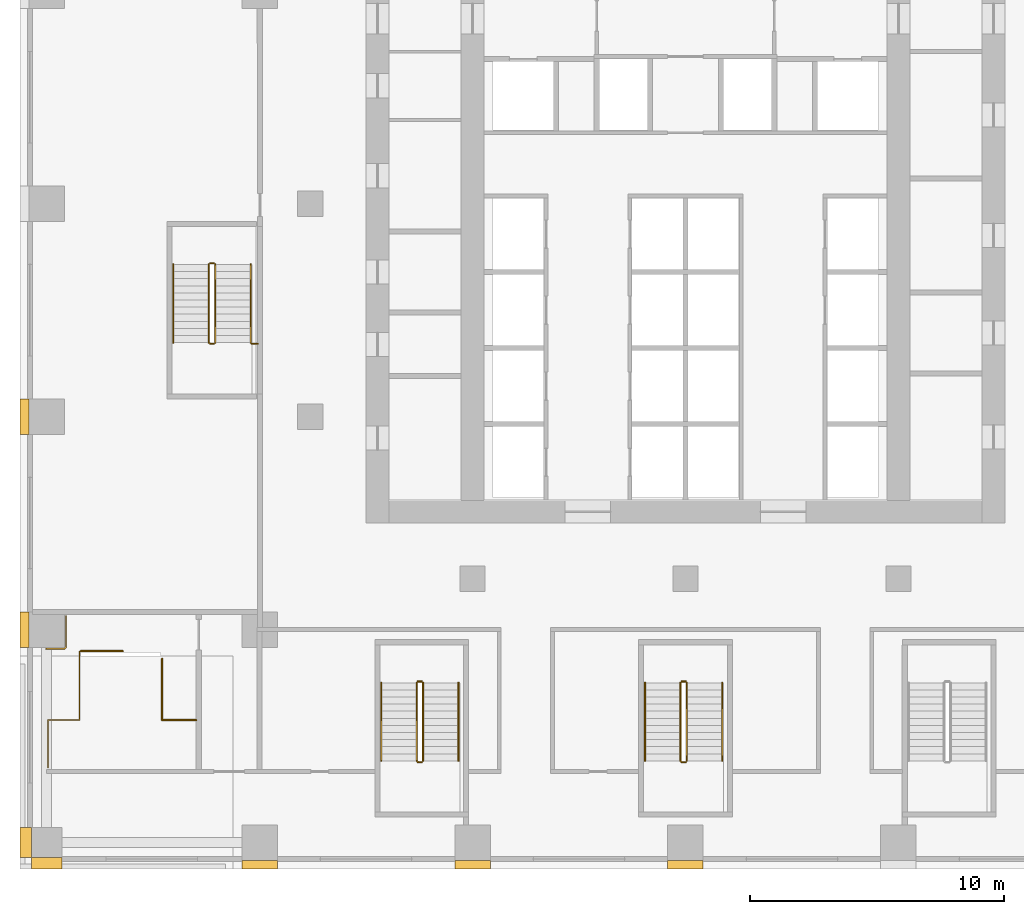
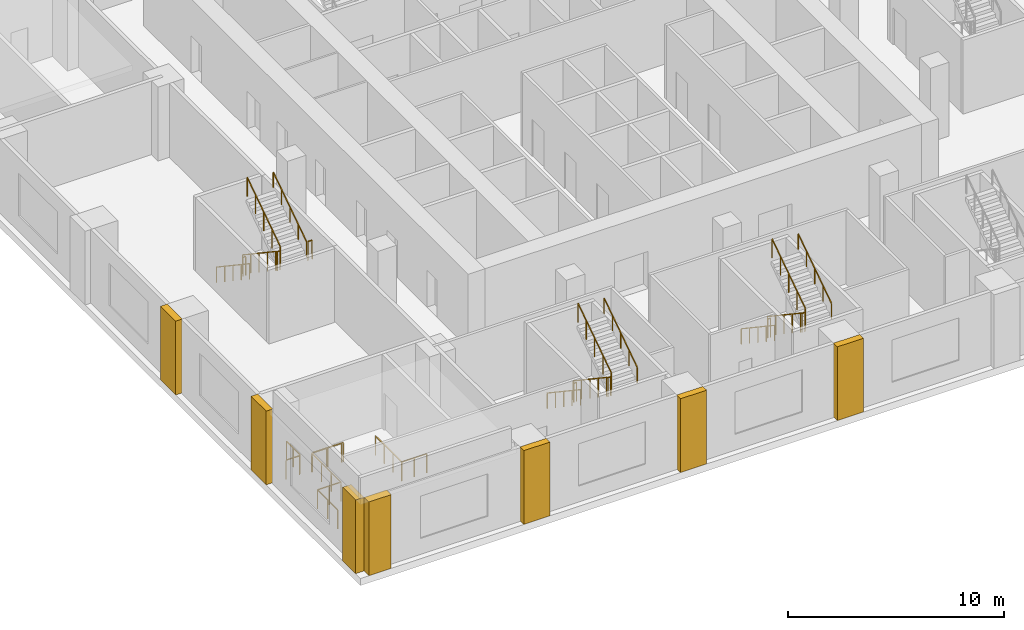
# One storey, part 11 of 16: 20 railings, 7 coverings.
"""IFC4 building model written with IfcOpenShell, lengths in metres."""

from ifc_helpers import new_model, si_unit, direction, frame, origin, origin_2d, place, context, subcontext, project, spatial, polyline, rectangle, outline, extrude, material, type_object, element, save


model = new_model("IFC4")

# Units and contexts
model_context = context("Model", 3, precision=1e-05, world=origin(), true_north=direction((0.0, 1.0)))
body_context = subcontext(model_context, "Body", "Model", "MODEL_VIEW")
ifc_project = project(units=[si_unit("LENGTHUNIT", "METRE"), si_unit("AREAUNIT", "SQUARE_METRE"), si_unit("VOLUMEUNIT", "CUBIC_METRE"), si_unit("PLANEANGLEUNIT", "RADIAN"), si_unit("MASSUNIT", "GRAM", prefix="KILO")], contexts=[model_context])

# Site, building, storey
site_placement = place(None, origin())
site = spatial("IfcSite", under=ifc_project, at=site_placement, CompositionType="ELEMENT")
building_placement = place(site_placement, origin())
building = spatial("IfcBuilding", under=site, at=building_placement, Name="Vermilion Ogive Tower", CompositionType="ELEMENT")
storey_placement = place(building_placement, frame((0.0, 0.0, 30.0)))
storey = spatial("IfcBuildingStorey", under=building, at=storey_placement, Name="L05", CompositionType="ELEMENT", Elevation=30.0)

# Railings
ifc_material_1 = material(Name="Steel S355 painted", Category="steel")
railing_type_1 = type_object("IfcRailingType", Name="Stair guard 1100", PredefinedType="GUARDRAIL", material=ifc_material_1)
railing_1_placement = place(storey_placement, frame((-10.60009765625, -14.699951171875, 0.1875)))
element("IfcRailing", 1, at=railing_1_placement, inside=storey, type_object=railing_type_1, Name="L05 ST3 stair guard 1", PredefinedType="GUARDRAIL", context=body_context, shape_type="SweptSolid", body=[
    extrude(rectangle(XDim=0.048095703125, YDim=0.048095703125, at=origin_2d()), frame((0.0, 0.0, 1.076171875), z_axis=(0.0, -0.830913701846, 0.55640131208), x_axis=(1.0, 0.0, 0.0)), (0.0, 0.0, 1.0), 3.706787109375),
    extrude(rectangle(XDim=0.048095703125, YDim=0.048095703125, at=origin_2d()), frame((0.0, -3.080078125, 3.138671875), z_axis=(0.707106781187, -0.707106781187, 0.0), x_axis=(0.707106781187, 0.707106781187, 0.0)), (0.0, 0.0, 1.0), 0.07080078125),
    extrude(rectangle(XDim=0.048095703125, YDim=0.048095703125, at=origin_2d()), frame((0.050048828125, -3.130126953125, 3.138671875), z_axis=(1.0, 0.0, 0.0), x_axis=(0.0, 1.0, 0.0)), (0.0, 0.0, 1.0), 0.150146484375),
    extrude(rectangle(XDim=0.0419921875, YDim=0.0419921875, at=origin_2d()), origin(), (0.0, 0.0, 1.0), 1.052001953125),
    extrude(rectangle(XDim=0.0419921875, YDim=0.0419921875, at=origin_2d()), frame((0.0, -0.77001953125, 0.515625)), (0.0, 0.0, 1.0), 1.052001953125),
    extrude(rectangle(XDim=0.0419921875, YDim=0.0419921875, at=origin_2d()), frame((0.0, -1.5400390625, 1.03125)), (0.0, 0.0, 1.0), 1.052001953125),
    extrude(rectangle(XDim=0.0419921875, YDim=0.0419921875, at=origin_2d()), frame((0.0, -2.31005859375, 1.546875)), (0.0, 0.0, 1.0), 1.052001953125),
    extrude(rectangle(XDim=0.0419921875, YDim=0.0419921875, at=origin_2d()), frame((0.0, -3.080078125, 2.0625)), (0.0, 0.0, 1.0), 1.052001953125),
    extrude(rectangle(XDim=0.0419921875, YDim=0.0419921875, at=origin_2d()), frame((0.050048828125, -3.130126953125, 2.0625)), (0.0, 0.0, 1.0), 1.052001953125),
    extrude(rectangle(XDim=0.0419921875, YDim=0.0419921875, at=origin_2d()), frame((0.2001953125, -3.130126953125, 2.0625)), (0.0, 0.0, 1.0), 1.052001953125),
])
railing_2_placement = place(storey_placement, frame((-10.35009765625, -17.780029296875, 2.4375)))
element("IfcRailing", 2, at=railing_2_placement, inside=storey, type_object=railing_type_1, Name="L05 ST3 stair guard 3", PredefinedType="GUARDRAIL", context=body_context, shape_type="SweptSolid", body=[
    extrude(rectangle(XDim=0.048095703125, YDim=0.048095703125, at=origin_2d()), frame((0.0, 0.0, 1.076171875), z_axis=(0.0, 0.830913701846, 0.55640131208), x_axis=(-1.0, 0.0, 0.0)), (0.0, 0.0, 1.0), 3.706787109375),
    extrude(rectangle(XDim=0.0419921875, YDim=0.0419921875, at=origin_2d()), origin(), (0.0, 0.0, 1.0), 1.052001953125),
    extrude(rectangle(XDim=0.0419921875, YDim=0.0419921875, at=origin_2d()), frame((0.0, 0.77001953125, 0.515625)), (0.0, 0.0, 1.0), 1.052001953125),
    extrude(rectangle(XDim=0.0419921875, YDim=0.0419921875, at=origin_2d()), frame((0.0, 1.5400390625, 1.03125)), (0.0, 0.0, 1.0), 1.052001953125),
    extrude(rectangle(XDim=0.0419921875, YDim=0.0419921875, at=origin_2d()), frame((0.0, 2.31005859375, 1.546875)), (0.0, 0.0, 1.0), 1.052001953125),
    extrude(rectangle(XDim=0.0419921875, YDim=0.0419921875, at=origin_2d()), frame((0.0, 3.080078125, 2.0625)), (0.0, 0.0, 1.0), 1.052001953125),
])
railing_3_placement = place(storey_placement, frame((-10.550048828125, -14.64990234375, 0.0)))
element("IfcRailing", 3, at=railing_3_placement, inside=storey, type_object=railing_type_1, Name="L05 ST3 stair guard 4", PredefinedType="GUARDRAIL", context=body_context, shape_type="SweptSolid", body=[
    extrude(rectangle(XDim=0.048095703125, YDim=0.048095703125, at=origin_2d()), frame((0.0, 0.0, 1.076171875), z_axis=(1.0, 0.0, 0.0), x_axis=(0.0, 1.0, 0.0)), (0.0, 0.0, 1.0), 0.150146484375),
    extrude(rectangle(XDim=0.0419921875, YDim=0.0419921875, at=origin_2d()), origin(), (0.0, 0.0, 1.0), 1.052001953125),
    extrude(rectangle(XDim=0.0419921875, YDim=0.0419921875, at=origin_2d()), frame((0.150146484375, 0.0, 0.0)), (0.0, 0.0, 1.0), 1.052001953125),
])
railing_4_placement = place(storey_placement, frame((-0.199951171875, -14.699951171875, 0.1875)))
element("IfcRailing", 4, at=railing_4_placement, inside=storey, type_object=railing_type_1, Name="L05 ST4 stair guard 1", PredefinedType="GUARDRAIL", context=body_context, shape_type="SweptSolid", body=[
    extrude(rectangle(XDim=0.048095703125, YDim=0.048095703125, at=origin_2d()), frame((0.0, 0.0, 1.076171875), z_axis=(0.0, -0.830913701846, 0.55640131208), x_axis=(1.0, 0.0, 0.0)), (0.0, 0.0, 1.0), 3.706787109375),
    extrude(rectangle(XDim=0.048095703125, YDim=0.048095703125, at=origin_2d()), frame((0.0, -3.080078125, 3.138671875), z_axis=(0.707106781187, -0.707106781187, 0.0), x_axis=(0.707106781187, 0.707106781187, 0.0)), (0.0, 0.0, 1.0), 0.07080078125),
    extrude(rectangle(XDim=0.048095703125, YDim=0.048095703125, at=origin_2d()), frame((0.050048828125, -3.130126953125, 3.138671875), z_axis=(1.0, 0.0, 0.0), x_axis=(0.0, 1.0, 0.0)), (0.0, 0.0, 1.0), 0.14990234375),
    extrude(rectangle(XDim=0.0419921875, YDim=0.0419921875, at=origin_2d()), origin(), (0.0, 0.0, 1.0), 1.052001953125),
    extrude(rectangle(XDim=0.0419921875, YDim=0.0419921875, at=origin_2d()), frame((0.0, -0.77001953125, 0.515625)), (0.0, 0.0, 1.0), 1.052001953125),
    extrude(rectangle(XDim=0.0419921875, YDim=0.0419921875, at=origin_2d()), frame((0.0, -1.5400390625, 1.03125)), (0.0, 0.0, 1.0), 1.052001953125),
    extrude(rectangle(XDim=0.0419921875, YDim=0.0419921875, at=origin_2d()), frame((0.0, -2.31005859375, 1.546875)), (0.0, 0.0, 1.0), 1.052001953125),
    extrude(rectangle(XDim=0.0419921875, YDim=0.0419921875, at=origin_2d()), frame((0.0, -3.080078125, 2.0625)), (0.0, 0.0, 1.0), 1.052001953125),
    extrude(rectangle(XDim=0.0419921875, YDim=0.0419921875, at=origin_2d()), frame((0.050048828125, -3.130126953125, 2.0625)), (0.0, 0.0, 1.0), 1.052001953125),
    extrude(rectangle(XDim=0.0419921875, YDim=0.0419921875, at=origin_2d()), frame((0.199951171875, -3.130126953125, 2.0625)), (0.0, 0.0, 1.0), 1.052001953125),
])
railing_5_placement = place(storey_placement, frame((0.050048828125, -17.780029296875, 2.4375)))
element("IfcRailing", 5, at=railing_5_placement, inside=storey, type_object=railing_type_1, Name="L05 ST4 stair guard 3", PredefinedType="GUARDRAIL", context=body_context, shape_type="SweptSolid", body=[
    extrude(rectangle(XDim=0.048095703125, YDim=0.048095703125, at=origin_2d()), frame((0.0, 0.0, 1.076171875), z_axis=(0.0, 0.830913701846, 0.55640131208), x_axis=(-1.0, 0.0, 0.0)), (0.0, 0.0, 1.0), 3.706787109375),
    extrude(rectangle(XDim=0.0419921875, YDim=0.0419921875, at=origin_2d()), origin(), (0.0, 0.0, 1.0), 1.052001953125),
    extrude(rectangle(XDim=0.0419921875, YDim=0.0419921875, at=origin_2d()), frame((0.0, 0.77001953125, 0.515625)), (0.0, 0.0, 1.0), 1.052001953125),
    extrude(rectangle(XDim=0.0419921875, YDim=0.0419921875, at=origin_2d()), frame((0.0, 1.5400390625, 1.03125)), (0.0, 0.0, 1.0), 1.052001953125),
    extrude(rectangle(XDim=0.0419921875, YDim=0.0419921875, at=origin_2d()), frame((0.0, 2.31005859375, 1.546875)), (0.0, 0.0, 1.0), 1.052001953125),
    extrude(rectangle(XDim=0.0419921875, YDim=0.0419921875, at=origin_2d()), frame((0.0, 3.080078125, 2.0625)), (0.0, 0.0, 1.0), 1.052001953125),
])
railing_6_placement = place(storey_placement, frame((-0.14990234375, -14.64990234375, 0.0)))
element("IfcRailing", 6, at=railing_6_placement, inside=storey, type_object=railing_type_1, Name="L05 ST4 stair guard 4", PredefinedType="GUARDRAIL", context=body_context, shape_type="SweptSolid", body=[
    extrude(rectangle(XDim=0.048095703125, YDim=0.048095703125, at=origin_2d()), frame((0.0, 0.0, 1.076171875), z_axis=(1.0, 0.0, 0.0), x_axis=(0.0, 1.0, 0.0)), (0.0, 0.0, 1.0), 0.14990234375),
    extrude(rectangle(XDim=0.0419921875, YDim=0.0419921875, at=origin_2d()), origin(), (0.0, 0.0, 1.0), 1.052001953125),
    extrude(rectangle(XDim=0.0419921875, YDim=0.0419921875, at=origin_2d()), frame((0.14990234375, 0.0, 0.0)), (0.0, 0.0, 1.0), 1.052001953125),
])
railing_7_placement = place(storey_placement, frame((-18.800048828125, 1.800048828125, 0.1875)))
element("IfcRailing", 7, at=railing_7_placement, inside=storey, type_object=railing_type_1, Name="L05 ST9 stair guard 1", PredefinedType="GUARDRAIL", context=body_context, shape_type="SweptSolid", body=[
    extrude(rectangle(XDim=0.048095703125, YDim=0.048095703125, at=origin_2d()), frame((0.0, 0.0, 1.076171875), z_axis=(0.0, -0.830913701846, 0.55640131208), x_axis=(1.0, 0.0, 0.0)), (0.0, 0.0, 1.0), 3.706787109375),
    extrude(rectangle(XDim=0.048095703125, YDim=0.048095703125, at=origin_2d()), frame((0.0, -3.080078125, 3.138671875), z_axis=(0.707106781187, -0.707106781187, 0.0), x_axis=(0.707106781187, 0.707106781187, 0.0)), (0.0, 0.0, 1.0), 0.07080078125),
    extrude(rectangle(XDim=0.048095703125, YDim=0.048095703125, at=origin_2d()), frame((0.050048828125, -3.130126953125, 3.138671875), z_axis=(1.0, 0.0, 0.0), x_axis=(0.0, 1.0, 0.0)), (0.0, 0.0, 1.0), 0.14990234375),
    extrude(rectangle(XDim=0.0419921875, YDim=0.0419921875, at=origin_2d()), origin(), (0.0, 0.0, 1.0), 1.052001953125),
    extrude(rectangle(XDim=0.0419921875, YDim=0.0419921875, at=origin_2d()), frame((0.0, -0.77001953125, 0.515625)), (0.0, 0.0, 1.0), 1.052001953125),
    extrude(rectangle(XDim=0.0419921875, YDim=0.0419921875, at=origin_2d()), frame((0.0, -1.5400390625, 1.03125)), (0.0, 0.0, 1.0), 1.052001953125),
    extrude(rectangle(XDim=0.0419921875, YDim=0.0419921875, at=origin_2d()), frame((0.0, -2.31005859375, 1.546875)), (0.0, 0.0, 1.0), 1.052001953125),
    extrude(rectangle(XDim=0.0419921875, YDim=0.0419921875, at=origin_2d()), frame((0.0, -3.080078125, 2.0625)), (0.0, 0.0, 1.0), 1.052001953125),
    extrude(rectangle(XDim=0.0419921875, YDim=0.0419921875, at=origin_2d()), frame((0.050048828125, -3.130126953125, 2.0625)), (0.0, 0.0, 1.0), 1.052001953125),
    extrude(rectangle(XDim=0.0419921875, YDim=0.0419921875, at=origin_2d()), frame((0.199951171875, -3.130126953125, 2.0625)), (0.0, 0.0, 1.0), 1.052001953125),
])
railing_8_placement = place(storey_placement, frame((-18.550048828125, -1.280029296875, 2.4375)))
element("IfcRailing", 8, at=railing_8_placement, inside=storey, type_object=railing_type_1, Name="L05 ST9 stair guard 3", PredefinedType="GUARDRAIL", context=body_context, shape_type="SweptSolid", body=[
    extrude(rectangle(XDim=0.048095703125, YDim=0.048095703125, at=origin_2d()), frame((0.0, 0.0, 1.076171875), z_axis=(0.0, 0.830913701846, 0.55640131208), x_axis=(-1.0, 0.0, 0.0)), (0.0, 0.0, 1.0), 3.706787109375),
    extrude(rectangle(XDim=0.0419921875, YDim=0.0419921875, at=origin_2d()), origin(), (0.0, 0.0, 1.0), 1.052001953125),
    extrude(rectangle(XDim=0.0419921875, YDim=0.0419921875, at=origin_2d()), frame((0.0, 0.77001953125, 0.515625)), (0.0, 0.0, 1.0), 1.052001953125),
    extrude(rectangle(XDim=0.0419921875, YDim=0.0419921875, at=origin_2d()), frame((0.0, 1.5400390625, 1.03125)), (0.0, 0.0, 1.0), 1.052001953125),
    extrude(rectangle(XDim=0.0419921875, YDim=0.0419921875, at=origin_2d()), frame((0.0, 2.31005859375, 1.546875)), (0.0, 0.0, 1.0), 1.052001953125),
    extrude(rectangle(XDim=0.0419921875, YDim=0.0419921875, at=origin_2d()), frame((0.0, 3.080078125, 2.0625)), (0.0, 0.0, 1.0), 1.052001953125),
])
railing_9_placement = place(storey_placement, frame((-18.75, 1.85009765625, 0.0)))
element("IfcRailing", 9, at=railing_9_placement, inside=storey, type_object=railing_type_1, Name="L05 ST9 stair guard 4", PredefinedType="GUARDRAIL", context=body_context, shape_type="SweptSolid", body=[
    extrude(rectangle(XDim=0.048095703125, YDim=0.048095703125, at=origin_2d()), frame((0.0, 0.0, 1.076171875), z_axis=(1.0, 0.0, 0.0), x_axis=(0.0, 1.0, 0.0)), (0.0, 0.0, 1.0), 0.14990234375),
    extrude(rectangle(XDim=0.0419921875, YDim=0.0419921875, at=origin_2d()), origin(), (0.0, 0.0, 1.0), 1.052001953125),
    extrude(rectangle(XDim=0.0419921875, YDim=0.0419921875, at=origin_2d()), frame((0.14990234375, 0.0, 0.0)), (0.0, 0.0, 1.0), 1.052001953125),
])
railing_10_placement = place(storey_placement, frame((-23.85009765625, -13.449951171875, 0.0)))
element("IfcRailing", 10, at=railing_10_placement, inside=storey, type_object=railing_type_1, Name="L05 PS4 top well guard 1", PredefinedType="GUARDRAIL", context=body_context, shape_type="SweptSolid", body=[
    extrude(rectangle(XDim=0.048095703125, YDim=0.048095703125, at=origin_2d()), frame((0.0, 0.0, 1.076171875), z_axis=(1.0, 0.0, 0.0), x_axis=(0.0, 1.0, 0.0)), (0.0, 0.0, 1.0), 1.650146484375),
    extrude(rectangle(XDim=0.0419921875, YDim=0.0419921875, at=origin_2d()), origin(), (0.0, 0.0, 1.0), 1.052001953125),
    extrude(rectangle(XDim=0.0419921875, YDim=0.0419921875, at=origin_2d()), frame((0.8251953125, 0.0, 0.0)), (0.0, 0.0, 1.0), 1.052001953125),
    extrude(rectangle(XDim=0.0419921875, YDim=0.0419921875, at=origin_2d()), frame((1.650146484375, 0.0, 0.0)), (0.0, 0.0, 1.0), 1.052001953125),
])
railing_11_placement = place(storey_placement, frame((-17.10009765625, -1.330078125, 2.25)))
element("IfcRailing", 11, at=railing_11_placement, inside=storey, type_object=railing_type_1, Name="L05 landing guard", PredefinedType="GUARDRAIL", context=body_context, shape_type="SweptSolid", body=[
    extrude(rectangle(XDim=0.048095703125, YDim=0.048095703125, at=origin_2d()), frame((0.0, 0.0, 1.076171875), z_axis=(1.0, 0.0, 0.0), x_axis=(0.0, 1.0, 0.0)), (0.0, 0.0, 1.0), 0.22509765625),
    extrude(rectangle(XDim=0.0419921875, YDim=0.0419921875, at=origin_2d()), origin(), (0.0, 0.0, 1.0), 1.052001953125),
    extrude(rectangle(XDim=0.0419921875, YDim=0.0419921875, at=origin_2d()), frame((0.22509765625, 0.0, 0.0)), (0.0, 0.0, 1.0), 1.052001953125),
])
railing_12_placement = place(storey_placement, frame((-20.6474609375, -13.74658203125, 0.0)))
element("IfcRailing", 12, at=railing_12_placement, inside=storey, type_object=railing_type_1, Name="L05 stair opening guard", PredefinedType="GUARDRAIL", context=body_context, shape_type="SweptSolid", body=[
    extrude(rectangle(XDim=0.048095703125, YDim=0.048095703125, at=origin_2d()), frame((0.0, 0.0, 1.076171875), z_axis=(0.0, -1.0, 0.0), x_axis=(1.0, 0.0, 0.0)), (0.0, 0.0, 1.0), 2.42431640625),
    extrude(rectangle(XDim=0.048095703125, YDim=0.048095703125, at=origin_2d()), frame((0.0, -2.42431640625, 1.076171875), z_axis=(1.0, 0.0, 0.0), x_axis=(0.0, 1.0, 0.0)), (0.0, 0.0, 1.0), 1.340087890625),
    extrude(rectangle(XDim=0.0419921875, YDim=0.0419921875, at=origin_2d()), origin(), (0.0, 0.0, 1.0), 1.052001953125),
    extrude(rectangle(XDim=0.0419921875, YDim=0.0419921875, at=origin_2d()), frame((0.0, -0.80810546875, 0.0)), (0.0, 0.0, 1.0), 1.052001953125),
    extrude(rectangle(XDim=0.0419921875, YDim=0.0419921875, at=origin_2d()), frame((0.0, -1.6162109375, 0.0)), (0.0, 0.0, 1.0), 1.052001953125),
    extrude(rectangle(XDim=0.0419921875, YDim=0.0419921875, at=origin_2d()), frame((0.0, -2.42431640625, 0.0)), (0.0, 0.0, 1.0), 1.052001953125),
    extrude(rectangle(XDim=0.0419921875, YDim=0.0419921875, at=origin_2d()), frame((0.669921875, -2.42431640625, 0.0)), (0.0, 0.0, 1.0), 1.052001953125),
    extrude(rectangle(XDim=0.0419921875, YDim=0.0419921875, at=origin_2d()), frame((1.340087890625, -2.42431640625, 0.0)), (0.0, 0.0, 1.0), 1.052001953125),
])
railing_13_placement = place(storey_placement, frame((-25.14990234375, -18.031494140625, 0.0)))
element("IfcRailing", 13, at=railing_13_placement, inside=storey, type_object=railing_type_1, Name="L05 stair opening guard", PredefinedType="GUARDRAIL", context=body_context, shape_type="SweptSolid", body=[
    extrude(rectangle(XDim=0.048095703125, YDim=0.048095703125, at=origin_2d()), frame((0.0, 0.0, 1.076171875), z_axis=(0.0, 1.0, 0.0), x_axis=(-1.0, 0.0, 0.0)), (0.0, 0.0, 1.0), 1.864990234375),
    extrude(rectangle(XDim=0.048095703125, YDim=0.048095703125, at=origin_2d()), frame((0.0, 1.864990234375, 1.076171875), z_axis=(1.0, 0.0, 0.0), x_axis=(0.0, 1.0, 0.0)), (0.0, 0.0, 1.0), 1.25),
    extrude(rectangle(XDim=0.048095703125, YDim=0.048095703125, at=origin_2d()), frame((1.25, 1.864990234375, 1.076171875), z_axis=(-0.503871025524, -0.863778900898, 0.0), x_axis=(0.863778900898, -0.503871025524, 0.0)), (0.0, 0.0, 1.0), 0.00341796875),
    extrude(rectangle(XDim=0.048095703125, YDim=0.048095703125, at=origin_2d()), frame((1.248291015625, 1.862060546875, 1.076171875), z_axis=(0.0, 1.0, 0.0), x_axis=(-1.0, 0.0, 0.0)), (0.0, 0.0, 1.0), 2.699951171875),
    extrude(rectangle(XDim=0.048095703125, YDim=0.048095703125, at=origin_2d()), frame((1.248291015625, 4.56201171875, 1.076171875), z_axis=(1.0, 0.0, 0.0), x_axis=(0.0, 1.0, 0.0)), (0.0, 0.0, 1.0), 1.60009765625),
    extrude(rectangle(XDim=0.0419921875, YDim=0.0419921875, at=origin_2d()), origin(), (0.0, 0.0, 1.0), 1.052001953125),
    extrude(rectangle(XDim=0.0419921875, YDim=0.0419921875, at=origin_2d()), frame((0.0, 0.9326171875, 0.0)), (0.0, 0.0, 1.0), 1.052001953125),
    extrude(rectangle(XDim=0.0419921875, YDim=0.0419921875, at=origin_2d()), frame((0.0, 1.864990234375, 0.0)), (0.0, 0.0, 1.0), 1.052001953125),
    extrude(rectangle(XDim=0.0419921875, YDim=0.0419921875, at=origin_2d()), frame((0.625, 1.864990234375, 0.0)), (0.0, 0.0, 1.0), 1.052001953125),
    extrude(rectangle(XDim=0.0419921875, YDim=0.0419921875, at=origin_2d()), frame((1.25, 1.864990234375, 0.0)), (0.0, 0.0, 1.0), 1.052001953125),
    extrude(rectangle(XDim=0.0419921875, YDim=0.0419921875, at=origin_2d()), frame((1.248291015625, 1.862060546875, 0.0)), (0.0, 0.0, 1.0), 1.052001953125),
    extrude(rectangle(XDim=0.0419921875, YDim=0.0419921875, at=origin_2d()), frame((1.248291015625, 2.761962890625, 0.0)), (0.0, 0.0, 1.0), 1.052001953125),
    extrude(rectangle(XDim=0.0419921875, YDim=0.0419921875, at=origin_2d()), frame((1.248291015625, 3.662109375, 0.0)), (0.0, 0.0, 1.0), 1.052001953125),
    extrude(rectangle(XDim=0.0419921875, YDim=0.0419921875, at=origin_2d()), frame((1.248291015625, 4.56201171875, 0.0)), (0.0, 0.0, 1.0), 1.052001953125),
    extrude(rectangle(XDim=0.0419921875, YDim=0.0419921875, at=origin_2d()), frame((2.04833984375, 4.56201171875, 0.0)), (0.0, 0.0, 1.0), 1.052001953125),
    extrude(rectangle(XDim=0.0419921875, YDim=0.0419921875, at=origin_2d()), frame((2.848388671875, 4.56201171875, 0.0)), (0.0, 0.0, 1.0), 1.052001953125),
])
railing_14_placement = place(storey_placement, frame((-25.219970703125, -13.360107421875, 0.0)))
element("IfcRailing", 14, at=railing_14_placement, inside=storey, type_object=railing_type_1, Name="L05 stair opening guard", PredefinedType="GUARDRAIL", context=body_context, shape_type="SweptSolid", body=[
    extrude(rectangle(XDim=0.048095703125, YDim=0.048095703125, at=origin_2d()), frame((0.0, 0.0, 1.076171875), z_axis=(1.0, 0.0, 0.0), x_axis=(0.0, 1.0, 0.0)), (0.0, 0.0, 1.0), 0.719970703125),
    extrude(rectangle(XDim=0.048095703125, YDim=0.048095703125, at=origin_2d()), frame((0.719970703125, 0.0, 1.076171875), z_axis=(0.707106781187, 0.707106781187, 0.0), x_axis=(-0.707106781187, 0.707106781187, 0.0)), (0.0, 0.0, 1.0), 0.0849609375),
    extrude(rectangle(XDim=0.048095703125, YDim=0.048095703125, at=origin_2d()), frame((0.780029296875, 0.06005859375, 1.076171875), z_axis=(0.0, 1.0, 0.0), x_axis=(-1.0, 0.0, 0.0)), (0.0, 0.0, 1.0), 1.240234375),
    extrude(rectangle(XDim=0.0419921875, YDim=0.0419921875, at=origin_2d()), origin(), (0.0, 0.0, 1.0), 1.052001953125),
    extrude(rectangle(XDim=0.0419921875, YDim=0.0419921875, at=origin_2d()), frame((0.719970703125, 0.0, 0.0)), (0.0, 0.0, 1.0), 1.052001953125),
    extrude(rectangle(XDim=0.0419921875, YDim=0.0419921875, at=origin_2d()), frame((0.780029296875, 0.06005859375, 0.0)), (0.0, 0.0, 1.0), 1.052001953125),
    extrude(rectangle(XDim=0.0419921875, YDim=0.0419921875, at=origin_2d()), frame((0.780029296875, 0.68017578125, 0.0)), (0.0, 0.0, 1.0), 1.052001953125),
    extrude(rectangle(XDim=0.0419921875, YDim=0.0419921875, at=origin_2d()), frame((0.780029296875, 1.30029296875, 0.0)), (0.0, 0.0, 1.0), 1.052001953125),
])
ifc_material_2 = material(Name="Stainless steel", Category="steel")
railing_type_2 = type_object("IfcRailingType", Name="Stair handrail 900", PredefinedType="HANDRAIL", material=ifc_material_2)
railing_15_placement = place(storey_placement, frame((-12.0, -14.699951171875, 0.1875)))
element("IfcRailing", 15, at=railing_15_placement, inside=storey, type_object=railing_type_2, Name="L05 ST3 stair handrail 1", PredefinedType="HANDRAIL", context=body_context, shape_type="SweptSolid", body=[
    extrude(rectangle(XDim=0.048095703125, YDim=0.048095703125, at=origin_2d()), frame((0.0, 0.0, 0.8759765625), z_axis=(0.0, -0.830913701846, 0.55640131208), x_axis=(1.0, 0.0, 0.0)), (0.0, 0.0, 1.0), 3.706787109375),
    extrude(rectangle(XDim=0.0419921875, YDim=0.0419921875, at=origin_2d()), origin(), (0.0, 0.0, 1.0), 0.851806640625),
    extrude(rectangle(XDim=0.0419921875, YDim=0.0419921875, at=origin_2d()), frame((0.0, -0.77001953125, 0.515625)), (0.0, 0.0, 1.0), 0.851806640625),
    extrude(rectangle(XDim=0.0419921875, YDim=0.0419921875, at=origin_2d()), frame((0.0, -1.5400390625, 1.03125)), (0.0, 0.0, 1.0), 0.851806640625),
    extrude(rectangle(XDim=0.0419921875, YDim=0.0419921875, at=origin_2d()), frame((0.0, -2.31005859375, 1.546875)), (0.0, 0.0, 1.0), 0.851806640625),
    extrude(rectangle(XDim=0.0419921875, YDim=0.0419921875, at=origin_2d()), frame((0.0, -3.080078125, 2.0625)), (0.0, 0.0, 1.0), 0.851806640625),
])
railing_16_placement = place(storey_placement, frame((-8.949951171875, -17.780029296875, 2.4375)))
element("IfcRailing", 16, at=railing_16_placement, inside=storey, type_object=railing_type_2, Name="L05 ST3 stair handrail 2", PredefinedType="HANDRAIL", context=body_context, shape_type="SweptSolid", body=[
    extrude(rectangle(XDim=0.048095703125, YDim=0.048095703125, at=origin_2d()), frame((0.0, 0.0, 0.8759765625), z_axis=(0.0, 0.830913701846, 0.55640131208), x_axis=(-1.0, 0.0, 0.0)), (0.0, 0.0, 1.0), 3.706787109375),
    extrude(rectangle(XDim=0.0419921875, YDim=0.0419921875, at=origin_2d()), origin(), (0.0, 0.0, 1.0), 0.851806640625),
    extrude(rectangle(XDim=0.0419921875, YDim=0.0419921875, at=origin_2d()), frame((0.0, 0.77001953125, 0.515625)), (0.0, 0.0, 1.0), 0.851806640625),
    extrude(rectangle(XDim=0.0419921875, YDim=0.0419921875, at=origin_2d()), frame((0.0, 1.5400390625, 1.03125)), (0.0, 0.0, 1.0), 0.851806640625),
    extrude(rectangle(XDim=0.0419921875, YDim=0.0419921875, at=origin_2d()), frame((0.0, 2.31005859375, 1.546875)), (0.0, 0.0, 1.0), 0.851806640625),
    extrude(rectangle(XDim=0.0419921875, YDim=0.0419921875, at=origin_2d()), frame((0.0, 3.080078125, 2.0625)), (0.0, 0.0, 1.0), 0.851806640625),
])
railing_17_placement = place(storey_placement, frame((-1.60009765625, -14.699951171875, 0.1875)))
element("IfcRailing", 17, at=railing_17_placement, inside=storey, type_object=railing_type_2, Name="L05 ST4 stair handrail 1", PredefinedType="HANDRAIL", context=body_context, shape_type="SweptSolid", body=[
    extrude(rectangle(XDim=0.048095703125, YDim=0.048095703125, at=origin_2d()), frame((0.0, 0.0, 0.8759765625), z_axis=(0.0, -0.830913701846, 0.55640131208), x_axis=(1.0, 0.0, 0.0)), (0.0, 0.0, 1.0), 3.706787109375),
    extrude(rectangle(XDim=0.0419921875, YDim=0.0419921875, at=origin_2d()), origin(), (0.0, 0.0, 1.0), 0.851806640625),
    extrude(rectangle(XDim=0.0419921875, YDim=0.0419921875, at=origin_2d()), frame((0.0, -0.77001953125, 0.515625)), (0.0, 0.0, 1.0), 0.851806640625),
    extrude(rectangle(XDim=0.0419921875, YDim=0.0419921875, at=origin_2d()), frame((0.0, -1.5400390625, 1.03125)), (0.0, 0.0, 1.0), 0.851806640625),
    extrude(rectangle(XDim=0.0419921875, YDim=0.0419921875, at=origin_2d()), frame((0.0, -2.31005859375, 1.546875)), (0.0, 0.0, 1.0), 0.851806640625),
    extrude(rectangle(XDim=0.0419921875, YDim=0.0419921875, at=origin_2d()), frame((0.0, -3.080078125, 2.0625)), (0.0, 0.0, 1.0), 0.851806640625),
])
railing_18_placement = place(storey_placement, frame((1.449951171875, -17.780029296875, 2.4375)))
element("IfcRailing", 18, at=railing_18_placement, inside=storey, type_object=railing_type_2, Name="L05 ST4 stair handrail 2", PredefinedType="HANDRAIL", context=body_context, shape_type="SweptSolid", body=[
    extrude(rectangle(XDim=0.048095703125, YDim=0.048095703125, at=origin_2d()), frame((0.0, 0.0, 0.8759765625), z_axis=(0.0, 0.830913701846, 0.55640131208), x_axis=(-1.0, 0.0, 0.0)), (0.0, 0.0, 1.0), 3.706787109375),
    extrude(rectangle(XDim=0.0419921875, YDim=0.0419921875, at=origin_2d()), origin(), (0.0, 0.0, 1.0), 0.851806640625),
    extrude(rectangle(XDim=0.0419921875, YDim=0.0419921875, at=origin_2d()), frame((0.0, 0.77001953125, 0.515625)), (0.0, 0.0, 1.0), 0.851806640625),
    extrude(rectangle(XDim=0.0419921875, YDim=0.0419921875, at=origin_2d()), frame((0.0, 1.5400390625, 1.03125)), (0.0, 0.0, 1.0), 0.851806640625),
    extrude(rectangle(XDim=0.0419921875, YDim=0.0419921875, at=origin_2d()), frame((0.0, 2.31005859375, 1.546875)), (0.0, 0.0, 1.0), 0.851806640625),
    extrude(rectangle(XDim=0.0419921875, YDim=0.0419921875, at=origin_2d()), frame((0.0, 3.080078125, 2.0625)), (0.0, 0.0, 1.0), 0.851806640625),
])
railing_19_placement = place(storey_placement, frame((-20.199951171875, 1.800048828125, 0.1875)))
element("IfcRailing", 19, at=railing_19_placement, inside=storey, type_object=railing_type_2, Name="L05 ST9 stair handrail 1", PredefinedType="HANDRAIL", context=body_context, shape_type="SweptSolid", body=[
    extrude(rectangle(XDim=0.048095703125, YDim=0.048095703125, at=origin_2d()), frame((0.0, 0.0, 0.8759765625), z_axis=(0.0, -0.830913701846, 0.55640131208), x_axis=(1.0, 0.0, 0.0)), (0.0, 0.0, 1.0), 3.706787109375),
    extrude(rectangle(XDim=0.0419921875, YDim=0.0419921875, at=origin_2d()), origin(), (0.0, 0.0, 1.0), 0.851806640625),
    extrude(rectangle(XDim=0.0419921875, YDim=0.0419921875, at=origin_2d()), frame((0.0, -0.77001953125, 0.515625)), (0.0, 0.0, 1.0), 0.851806640625),
    extrude(rectangle(XDim=0.0419921875, YDim=0.0419921875, at=origin_2d()), frame((0.0, -1.5400390625, 1.03125)), (0.0, 0.0, 1.0), 0.851806640625),
    extrude(rectangle(XDim=0.0419921875, YDim=0.0419921875, at=origin_2d()), frame((0.0, -2.31005859375, 1.546875)), (0.0, 0.0, 1.0), 0.851806640625),
    extrude(rectangle(XDim=0.0419921875, YDim=0.0419921875, at=origin_2d()), frame((0.0, -3.080078125, 2.0625)), (0.0, 0.0, 1.0), 0.851806640625),
])
railing_20_placement = place(storey_placement, frame((-17.14990234375, -1.280029296875, 2.4375)))
element("IfcRailing", 20, at=railing_20_placement, inside=storey, type_object=railing_type_2, Name="L05 ST9 stair handrail 2", PredefinedType="HANDRAIL", context=body_context, shape_type="SweptSolid", body=[
    extrude(rectangle(XDim=0.048095703125, YDim=0.048095703125, at=origin_2d()), frame((0.0, 0.0, 0.8759765625), z_axis=(0.0, 0.830913701846, 0.55640131208), x_axis=(-1.0, 0.0, 0.0)), (0.0, 0.0, 1.0), 3.706787109375),
    extrude(rectangle(XDim=0.0419921875, YDim=0.0419921875, at=origin_2d()), origin(), (0.0, 0.0, 1.0), 0.851806640625),
    extrude(rectangle(XDim=0.0419921875, YDim=0.0419921875, at=origin_2d()), frame((0.0, 0.77001953125, 0.515625)), (0.0, 0.0, 1.0), 0.851806640625),
    extrude(rectangle(XDim=0.0419921875, YDim=0.0419921875, at=origin_2d()), frame((0.0, 1.5400390625, 1.03125)), (0.0, 0.0, 1.0), 0.851806640625),
    extrude(rectangle(XDim=0.0419921875, YDim=0.0419921875, at=origin_2d()), frame((0.0, 2.31005859375, 1.546875)), (0.0, 0.0, 1.0), 0.851806640625),
    extrude(rectangle(XDim=0.0419921875, YDim=0.0419921875, at=origin_2d()), frame((0.0, 3.080078125, 2.0625)), (0.0, 0.0, 1.0), 0.851806640625),
])

# Coverings
ifc_material_3 = material(Name="Stone cladding", Category="masonry")
covering_type = type_object("IfcCoveringType", Name="Stone pier", PredefinedType="CLADDING", material=ifc_material_3)
covering_1_placement = place(storey_placement, origin())
element("IfcCovering", 21, at=covering_1_placement, inside=storey, type_object=covering_type, Name="Stone pier P+000-210", PredefinedType="CLADDING", context=body_context, shape_type="SweptSolid", body=[
    extrude(outline(polyline([(0.699951171875, -22.050048828125), (-0.699951171875, -22.050048828125), (-0.699951171875, -21.699951171875), (0.699951171875, -21.699951171875), (0.699951171875, -22.050048828125)])), origin(), (0.0, 0.0, 1.0), 4.179931640625),
])
covering_2_placement = place(storey_placement, origin())
element("IfcCovering", 22, at=covering_2_placement, inside=storey, type_object=covering_type, Name="Stone pier P-084-210", PredefinedType="CLADDING", context=body_context, shape_type="SweptSolid", body=[
    extrude(outline(polyline([(-7.699951171875, -21.699951171875), (-7.699951171875, -22.050048828125), (-9.10009765625, -22.050048828125), (-9.10009765625, -21.699951171875), (-9.10009765625, -21.699951171875), (-7.699951171875, -21.699951171875)])), origin(), (0.0, 0.0, 1.0), 4.179931640625),
])
covering_3_placement = place(storey_placement, origin())
element("IfcCovering", 23, at=covering_3_placement, inside=storey, type_object=covering_type, Name="Stone pier P-168-210", PredefinedType="CLADDING", context=body_context, shape_type="SweptSolid", body=[
    extrude(outline(polyline([(-16.10009765625, -22.050048828125), (-17.5, -22.050048828125), (-17.5, -21.699951171875), (-16.10009765625, -21.699951171875), (-16.10009765625, -22.050048828125)])), origin(), (0.0, 0.0, 1.0), 4.179931640625),
])
covering_4_placement = place(storey_placement, origin())
element("IfcCovering", 24, at=covering_4_placement, inside=storey, type_object=covering_type, Name="Stone pier P-252-042", PredefinedType="CLADDING", context=body_context, shape_type="SweptSolid", body=[
    extrude(outline(polyline([(-25.89990234375, -4.89990234375), (-26.25, -4.89990234375), (-26.25, -3.5), (-25.89990234375, -3.5), (-25.89990234375, -4.89990234375), (-25.89990234375, -4.89990234375)])), origin(), (0.0, 0.0, 1.0), 4.179931640625),
])
covering_5_placement = place(storey_placement, origin())
element("IfcCovering", 25, at=covering_5_placement, inside=storey, type_object=covering_type, Name="Stone pier P-252-126", PredefinedType="CLADDING", context=body_context, shape_type="SweptSolid", body=[
    extrude(outline(polyline([(-25.89990234375, -13.300048828125), (-25.89990234375, -13.300048828125), (-26.25, -13.300048828125), (-26.25, -11.89990234375), (-25.89990234375, -11.89990234375), (-25.89990234375, -11.89990234375), (-25.89990234375, -13.300048828125)])), origin(), (0.0, 0.0, 1.0), 4.179931640625),
])
covering_6_placement = place(storey_placement, origin())
element("IfcCovering", 26, at=covering_6_placement, inside=storey, type_object=covering_type, Name="Stone pier P-252-210S", PredefinedType="CLADDING", context=body_context, shape_type="SweptSolid", body=[
    extrude(outline(polyline([(-24.60009765625, -22.050048828125), (-25.800048828125, -22.050048828125), (-25.800048828125, -21.60009765625), (-24.60009765625, -21.60009765625), (-24.60009765625, -22.050048828125)])), origin(), (0.0, 0.0, 1.0), 4.179931640625),
])
covering_7_placement = place(storey_placement, origin())
element("IfcCovering", 27, at=covering_7_placement, inside=storey, type_object=covering_type, Name="Stone pier P-252-210W", PredefinedType="CLADDING", context=body_context, shape_type="SweptSolid", body=[
    extrude(outline(polyline([(-26.25, -20.39990234375), (-25.800048828125, -20.39990234375), (-25.800048828125, -21.60009765625), (-26.25, -21.60009765625), (-26.25, -20.39990234375)])), origin(), (0.0, 0.0, 1.0), 4.179931640625),
])

save(model, "model.ifc")
